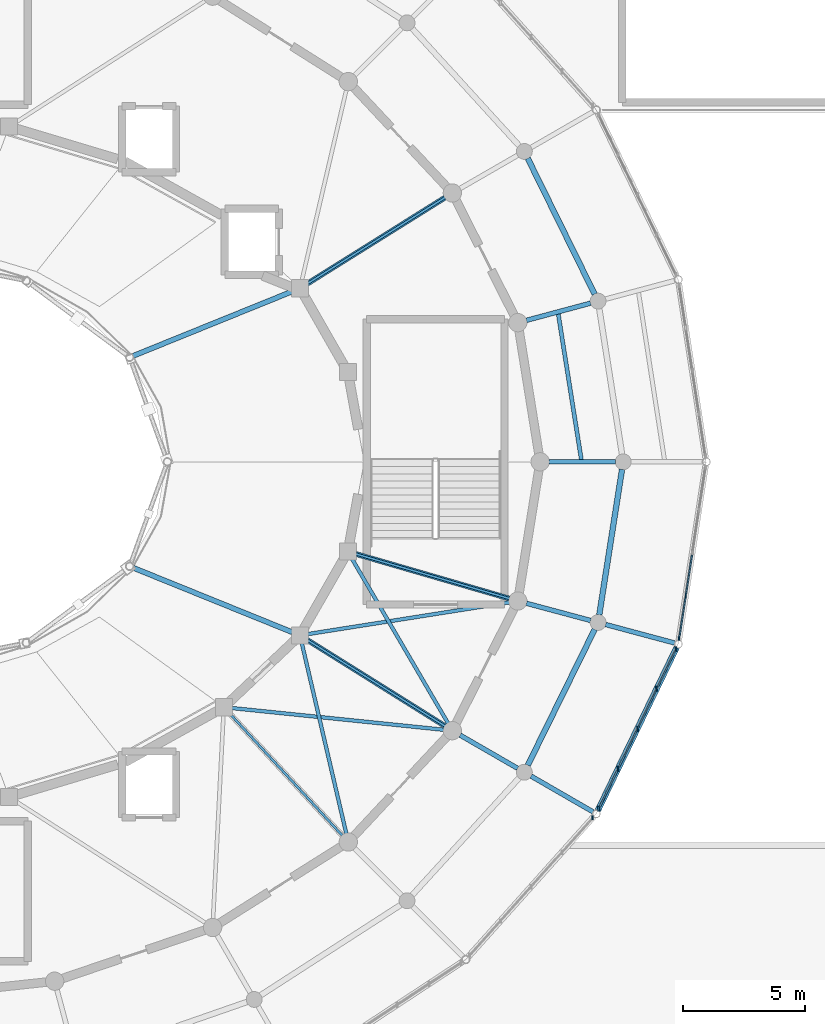
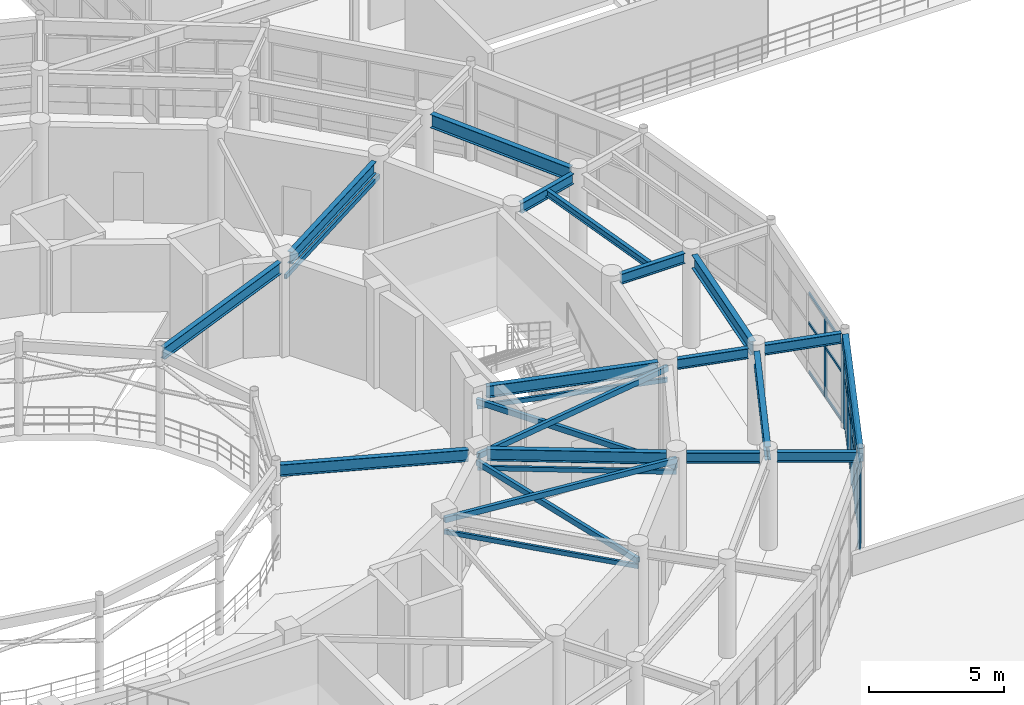
# One storey, part 60 of 112: 34 members, 16 beams, 3 elements without a shape of their own.
"""IFC4 building model written with IfcOpenShell, lengths in metres."""

from ifc_helpers import new_model, si_unit, direction, frame, origin, origin_2d, place, context, subcontext, project, spatial, rectangle, hollow_rectangle, i_section, extrude, material, material_profile, profile_set, type_object, element, aggregate, save


model = new_model("IFC4")

# Units and contexts
model_context = context("Model", 3, precision=1e-05, world=origin(), true_north=direction((0.0, 1.0)))
body_context = subcontext(model_context, "Body", "Model", "MODEL_VIEW")
ifc_project = project(units=[si_unit("LENGTHUNIT", "METRE"), si_unit("AREAUNIT", "SQUARE_METRE"), si_unit("VOLUMEUNIT", "CUBIC_METRE"), si_unit("PLANEANGLEUNIT", "RADIAN"), si_unit("MASSUNIT", "GRAM", prefix="KILO")], contexts=[model_context])

# Site, building, storey
site_placement = place(None, origin())
site = spatial("IfcSite", under=ifc_project, at=site_placement, CompositionType="ELEMENT")
building_placement = place(site_placement, origin())
building = spatial("IfcBuilding", under=site, at=building_placement, Name="Cinderbank Siding Concert Hall", CompositionType="ELEMENT")
storey_placement = place(building_placement, frame((0.0, 0.0, 10.199951171875)))
storey = spatial("IfcBuildingStorey", under=building, at=storey_placement, Name="L03", CompositionType="ELEMENT", Elevation=10.199951171875)

# Beams
ifc_material_1 = material(Name="Structural steel AS/NZS 3679.1 Grade 350 (340 MPa)", Category="steel")
ifc_material_profile_1 = material_profile(ifc_material_1, i_section(OverallWidth=0.19091796875, OverallDepth=0.46044921875, WebThickness=0.010009765625, FlangeThickness=0.01611328125, at=origin_2d()), Name="460UB82.1", Category="LoadBearing")
ifc_profile_set_1 = profile_set([ifc_material_profile_1], Name="Structural steel AS/NZS 3679.1 Grade 350 (340 MPa)")
beam_type_1 = type_object("IfcBeamType", Name="BM-UB460H 460UB82.1", PredefinedType="BEAM", material=ifc_profile_set_1)
for number, where, z_axis, x_axis, name in (
    (1, (149.1669921875, 44.0, 4.011962890625), (1.0, 0.0, 0.0), (0.0, 1.0, 0.0), "L03 Beam BM-UB460H #604"),
    (2, (148.2412109375, 49.7890625, 4.011962890625), (0.965934410535, 0.258787006135, 0.0), (-0.258787006135, 0.965934410535, 0.0), "L03 Beam BM-UB460H #605"),
):
    element("IfcBeam", number, at=place(storey_placement, frame(where, z_axis=z_axis, x_axis=x_axis)), inside=storey, type_object=beam_type_1, Name=name, PredefinedType="BEAM", context=body_context, shape_type="SweptSolid", body=[
        extrude(i_section(OverallWidth=0.19091796875, OverallDepth=0.46044921875, WebThickness=0.010009765625, FlangeThickness=0.01611328125, at=origin_2d()), origin(), (0.0, 0.0, 1.0), 2.716064453125),
    ])
beam_1_placement = place(storey_placement, frame((145.52734375, 32.81640625, 4.011962890625), z_axis=(0.866032896488, -0.499987022033, 0.0), x_axis=(0.499987022033, 0.866032896488, 0.0)))
element("IfcBeam", 3, at=beam_1_placement, inside=storey, type_object=beam_type_1, Name="L03 Beam BM-UB460H #625", PredefinedType="BEAM", context=body_context, shape_type="SweptSolid", body=[
    extrude(i_section(OverallWidth=0.19091796875, OverallDepth=0.46044921875, WebThickness=0.010009765625, FlangeThickness=0.01611328125, at=origin_2d()), origin(), (0.0, 0.0, 1.0), 2.7158203125),
])
beam_2_placement = place(storey_placement, frame((148.2412109375, 38.2109375, 4.011962890625), z_axis=(0.965934410535, -0.258787006135, 0.0), x_axis=(0.258787006135, 0.965934410535, 0.0)))
element("IfcBeam", 4, at=beam_2_placement, inside=storey, type_object=beam_type_1, Name="L03 Beam BM-UB460H #626", PredefinedType="BEAM", context=body_context, shape_type="SweptSolid", body=[
    extrude(i_section(OverallWidth=0.19091796875, OverallDepth=0.46044921875, WebThickness=0.010009765625, FlangeThickness=0.01611328125, at=origin_2d()), origin(), (0.0, 0.0, 1.0), 2.716064453125),
])
beam_3_placement = place(storey_placement, frame((148.428466796875, 31.1416015625, 4.0517578125), z_axis=(0.866013467834, -0.500020673103, 0.0), x_axis=(0.500020673103, 0.866013467834, 0.0)))
element("IfcBeam", 5, at=beam_3_placement, inside=storey, type_object=beam_type_1, Name="L03 Beam BM-UB460H #650", PredefinedType="BEAM", context=body_context, shape_type="SweptSolid", body=[
    extrude(i_section(OverallWidth=0.19091796875, OverallDepth=0.46044921875, WebThickness=0.010009765625, FlangeThickness=0.01611328125, at=origin_2d()), origin(), (0.0, 0.0, 1.0), 2.92919921875),
])
beam_4_placement = place(storey_placement, frame((151.477294921875, 37.343994140625, 4.0517578125), z_axis=(0.965904885504, -0.258897184534, 0.0), x_axis=(0.258897184534, 0.965904885504, 0.0)))
element("IfcBeam", 6, at=beam_4_placement, inside=storey, type_object=beam_type_1, Name="L03 Beam BM-UB460H #651", PredefinedType="BEAM", context=body_context, shape_type="SweptSolid", body=[
    extrude(i_section(OverallWidth=0.19091796875, OverallDepth=0.46044921875, WebThickness=0.010009765625, FlangeThickness=0.01611328125, at=origin_2d()), origin(), (0.0, 0.0, 1.0), 2.928955078125),
])
ifc_material_profile_2 = material_profile(ifc_material_1, i_section(OverallWidth=0.208984375, OverallDepth=0.5283203125, WebThickness=0.009521484375, FlangeThickness=0.01318359375, at=origin_2d()), Name="530UB82.0", Category="LoadBearing")
ifc_profile_set_2 = profile_set([ifc_material_profile_2], Name="Structural steel AS/NZS 3679.1 Grade 350 (340 MPa)")
beam_type_2 = type_object("IfcBeamType", Name="BM-UB530 530UB82.0", PredefinedType="BEAM", material=ifc_profile_set_2)
for number, where, z_axis, x_axis, name in (
    (7, (132.145263671875, 48.332763671875, 3.97802734375), (0.926787327391, 0.375586541008, 0.0), (-0.375586541008, 0.926787327391, 0.0), "L03 Beam BM-UB530 #178"),
    (8, (132.145263671875, 39.667236328125, 3.97802734375), (0.926787327391, -0.375586541008, 0.0), (0.375586541008, 0.926787327391, 0.0), "L03 Beam BM-UB530 #189"),
):
    element("IfcBeam", number, at=place(storey_placement, frame(where, z_axis=z_axis, x_axis=x_axis)), inside=storey, type_object=beam_type_2, Name=name, PredefinedType="BEAM", context=body_context, shape_type="SweptSolid", body=[
        extrude(i_section(OverallWidth=0.208984375, OverallDepth=0.5283203125, WebThickness=0.009521484375, FlangeThickness=0.01318359375, at=origin_2d()), origin(), (0.0, 0.0, 1.0), 7.026123046875),
    ])
ifc_material_profile_3 = material_profile(ifc_material_1, i_section(OverallWidth=0.208984375, OverallDepth=0.532958984375, WebThickness=0.01025390625, FlangeThickness=0.015625, at=origin_2d()), Name="530UB92.4", Category="LoadBearing")
ifc_profile_set_3 = profile_set([ifc_material_profile_3], Name="Structural steel AS/NZS 3679.1 Grade 350 (340 MPa)")
beam_type_3 = type_object("IfcBeamType", Name="BM-UB530H 530UB92.4", PredefinedType="BEAM", material=ifc_profile_set_3)
for number, where, z_axis, x_axis, name in (
    (9, (139.26416015625, 51.281494140625, 3.985595703125), (0.84781868984, 0.530286214376, 0.0), (-0.530286214376, 0.84781868984, 0.0), "L03 Beam BM-UB530H #593"),
    (10, (139.26416015625, 36.718505859375, 3.985595703125), (0.84781868984, -0.530286214376, 0.0), (0.530286214376, 0.84781868984, 0.0), "L03 Beam BM-UB530H #602"),
):
    element("IfcBeam", number, at=place(storey_placement, frame(where, z_axis=z_axis, x_axis=x_axis)), inside=storey, type_object=beam_type_3, Name=name, PredefinedType="BEAM", context=body_context, shape_type="SweptSolid", body=[
        extrude(i_section(OverallWidth=0.208984375, OverallDepth=0.532958984375, WebThickness=0.01025390625, FlangeThickness=0.015625, at=origin_2d()), origin(), (0.0, 0.0, 1.0), 6.645263671875),
    ])
beam_5_placement = place(storey_placement, frame((141.260498046875, 40.2294921875, 3.985595703125), z_axis=(0.960350422934, -0.278795740946, 0.0), x_axis=(0.278795740946, 0.960350422934, 0.0)))
element("IfcBeam", 11, at=beam_5_placement, inside=storey, type_object=beam_type_3, Name="L03 Beam BM-UB530H #603", PredefinedType="BEAM", context=body_context, shape_type="SweptSolid", body=[
    extrude(i_section(OverallWidth=0.208984375, OverallDepth=0.532958984375, WebThickness=0.01025390625, FlangeThickness=0.015625, at=origin_2d()), origin(), (0.0, 0.0, 1.0), 6.53271484375),
])
ifc_material_profile_4 = material_profile(ifc_material_1, i_section(OverallWidth=0.22802734375, OverallDepth=0.60693359375, WebThickness=0.01123046875, FlangeThickness=0.017333984375, at=origin_2d()), Name="610UB113", Category="LoadBearing")
ifc_profile_set_4 = profile_set([ifc_material_profile_4], Name="Structural steel AS/NZS 3679.1 Grade 350 (340 MPa)")
beam_type_4 = type_object("IfcBeamType", Name="BM-UB610M 610UB113", PredefinedType="BEAM", material=ifc_profile_set_4)
for number, where, z_axis, x_axis, name in (
    (12, (151.031005859375, 50.8583984375, 3.9384765625), (-0.441813843649, 0.897106753714, 0.0), (-0.897106753714, -0.441813843649, 0.0), "L03 Beam BM-UB610M #546"),
    (13, (148.294189453125, 31.58447265625, 3.9384765625), (0.441813843649, 0.897106753714, 0.0), (-0.897106753714, 0.441813843649, 0.0), "L03 Beam BM-UB610M #567"),
):
    element("IfcBeam", number, at=place(storey_placement, frame(where, z_axis=z_axis, x_axis=x_axis)), inside=storey, type_object=beam_type_4, Name=name, PredefinedType="BEAM", context=body_context, shape_type="SweptSolid", body=[
        extrude(i_section(OverallWidth=0.22802734375, OverallDepth=0.60693359375, WebThickness=0.01123046875, FlangeThickness=0.017333984375, at=origin_2d()), origin(), (0.0, 0.0, 1.0), 6.194580078125),
    ])
beam_6_placement = place(storey_placement, frame((151.219970703125, 37.7392578125, 3.9384765625), z_axis=(0.154637914322, 0.987971211855, 0.0), x_axis=(-0.987971211855, 0.154637914322, 0.0)))
element("IfcBeam", 14, at=beam_6_placement, inside=storey, type_object=beam_type_4, Name="L03 Beam BM-UB610M #568", PredefinedType="BEAM", context=body_context, shape_type="SweptSolid", body=[
    extrude(i_section(OverallWidth=0.22802734375, OverallDepth=0.60693359375, WebThickness=0.01123046875, FlangeThickness=0.017333984375, at=origin_2d()), origin(), (0.0, 0.0, 1.0), 6.02001953125),
])

# Curtain wall, member
ifc_material_2 = material(Name="Anodised aluminium alloy 6063-T6", Category="aluminium")
curtain_wall_type_1 = type_object("IfcCurtainWallType", Name="CW-10 Unitised Acoustic Curtain Wall 7200x3500", PredefinedType="NOTDEFINED", material=ifc_material_2)
curtain_wall_1_placement = place(storey_placement, origin())
curtain_wall_1 = element("IfcCurtainWall", 15, at=curtain_wall_1_placement, inside=storey, type_object=curtain_wall_type_1, Name="L03 Curtain Wall CW-10 #46", PredefinedType="NOTDEFINED")
ifc_material_profile_5 = material_profile(ifc_material_2, rectangle(XDim=0.06005859375, YDim=0.159912109375, at=origin_2d()), Name="ALU-MULL-60x160", Category="LoadBearing")
ifc_profile_set_5 = profile_set([ifc_material_profile_5], Name="Anodised aluminium alloy 6063-T6")
member_type_1 = type_object("IfcMemberType", Name="CW-ML1 Mullion 60x160", PredefinedType="MULLION", material=ifc_profile_set_5)
member_1_placement = place(storey_placement, frame((150.947021484375, 29.430908203125, 0.0), z_axis=(0.0, 0.0, 1.0), x_axis=(1.0, 0.0, 0.0)))
member_1 = element("IfcMember", 16, at=member_1_placement, type_object=member_type_1, Name="CW-L03-046 Mullion 4", PredefinedType="MULLION", context=body_context, shape_type="SweptSolid", body=[
    extrude(rectangle(XDim=0.06005859375, YDim=0.159912109375, at=origin_2d()), origin(), (0.0, 0.0, 1.0), 3.6669921875),
])
aggregate(curtain_wall_1, [member_1])

# Curtain wall, members
curtain_wall_type_2 = type_object("IfcCurtainWallType", Name="CW-12 Unitised Acoustic Curtain Wall 5800x3500", PredefinedType="NOTDEFINED", material=ifc_material_2)
curtain_wall_2_placement = place(storey_placement, origin())
curtain_wall_2 = element("IfcCurtainWall", 17, at=curtain_wall_2_placement, inside=storey, type_object=curtain_wall_type_2, Name="L03 Curtain Wall CW-12 #48", PredefinedType="NOTDEFINED")
member_2_placement = place(storey_placement, frame((154.489501953125, 36.770263671875, 0.0), z_axis=(0.0, 0.0, 1.0), x_axis=(1.0, 0.0, 0.0)))
member_2 = element("IfcMember", 18, at=member_2_placement, type_object=member_type_1, Name="CW-L03-048 Mullion 0", PredefinedType="MULLION", context=body_context, shape_type="SweptSolid", body=[
    extrude(rectangle(XDim=0.06005859375, YDim=0.159912109375, at=origin_2d()), origin(), (0.0, 0.0, 1.0), 3.6669921875),
])
member_3_placement = place(storey_placement, frame((154.758544921875, 38.521728515625, 0.0), z_axis=(0.0, 0.0, 1.0), x_axis=(1.0, 0.0, 0.0)))
member_3 = element("IfcMember", 19, at=member_3_placement, type_object=member_type_1, Name="CW-L03-048 Mullion 1", PredefinedType="MULLION", context=body_context, shape_type="SweptSolid", body=[
    extrude(rectangle(XDim=0.06005859375, YDim=0.159912109375, at=origin_2d()), origin(), (0.0, 0.0, 1.0), 3.6669921875),
])

curtain_wall_type_3 = type_object("IfcCurtainWallType", Name="CW-11 Unitised Acoustic Curtain Wall 6600x3500", PredefinedType="NOTDEFINED", material=ifc_material_2)
curtain_wall_3_placement = place(storey_placement, origin())
curtain_wall_3 = element("IfcCurtainWall", 20, at=curtain_wall_3_placement, inside=storey, type_object=curtain_wall_type_3, Name="L03 Curtain Wall CW-11 #47", PredefinedType="NOTDEFINED")
ifc_material_profile_6 = material_profile(ifc_material_2, rectangle(XDim=0.06494140625, YDim=0.199951171875, at=origin_2d()), Name="ALU-MULL-65x200", Category="LoadBearing")
ifc_profile_set_6 = profile_set([ifc_material_profile_6], Name="Anodised aluminium alloy 6063-T6")
member_type_2 = type_object("IfcMemberType", Name="CW-ML2 Mullion 65x200", PredefinedType="MULLION", material=ifc_profile_set_6)
member_4_placement = place(storey_placement, frame((151.197265625, 29.80419921875, 0.0), z_axis=(0.0, 0.0, 1.0), x_axis=(1.0, 0.0, 0.0)))
member_4 = element("IfcMember", 21, at=member_4_placement, type_object=member_type_2, Name="CW-L03-047 Mullion 0", PredefinedType="MULLION", context=body_context, shape_type="SweptSolid", body=[
    extrude(rectangle(XDim=0.06494140625, YDim=0.199951171875, at=origin_2d()), origin(), (0.0, 0.0, 1.0), 3.6669921875),
])
member_5_placement = place(storey_placement, frame((151.987060546875, 31.438720703125, 0.0), z_axis=(0.0, 0.0, 1.0), x_axis=(1.0, 0.0, 0.0)))
member_5 = element("IfcMember", 22, at=member_5_placement, type_object=member_type_2, Name="CW-L03-047 Mullion 1", PredefinedType="MULLION", context=body_context, shape_type="SweptSolid", body=[
    extrude(rectangle(XDim=0.06494140625, YDim=0.199951171875, at=origin_2d()), origin(), (0.0, 0.0, 1.0), 3.6669921875),
])
member_6_placement = place(storey_placement, frame((152.77685546875, 33.072998046875, 0.0), z_axis=(0.0, 0.0, 1.0), x_axis=(1.0, 0.0, 0.0)))
member_6 = element("IfcMember", 23, at=member_6_placement, type_object=member_type_2, Name="CW-L03-047 Mullion 2", PredefinedType="MULLION", context=body_context, shape_type="SweptSolid", body=[
    extrude(rectangle(XDim=0.06494140625, YDim=0.199951171875, at=origin_2d()), origin(), (0.0, 0.0, 1.0), 3.6669921875),
])
member_7_placement = place(storey_placement, frame((153.566650390625, 34.707275390625, 0.0), z_axis=(0.0, 0.0, 1.0), x_axis=(1.0, 0.0, 0.0)))
member_7 = element("IfcMember", 24, at=member_7_placement, type_object=member_type_2, Name="CW-L03-047 Mullion 3", PredefinedType="MULLION", context=body_context, shape_type="SweptSolid", body=[
    extrude(rectangle(XDim=0.06494140625, YDim=0.199951171875, at=origin_2d()), origin(), (0.0, 0.0, 1.0), 3.6669921875),
])
member_8_placement = place(storey_placement, frame((154.3564453125, 36.341796875, 0.0), z_axis=(0.0, 0.0, 1.0), x_axis=(1.0, 0.0, 0.0)))
member_8 = element("IfcMember", 25, at=member_8_placement, type_object=member_type_2, Name="CW-L03-047 Mullion 4", PredefinedType="MULLION", context=body_context, shape_type="SweptSolid", body=[
    extrude(rectangle(XDim=0.06494140625, YDim=0.199951171875, at=origin_2d()), origin(), (0.0, 0.0, 1.0), 3.6669921875),
])

# Member
ifc_material_profile_7 = material_profile(ifc_material_2, rectangle(XDim=0.06005859375, YDim=0.1201171875, at=origin_2d()), Name="ALU-TRAN-60x120", Category="LoadBearing")
ifc_profile_set_7 = profile_set([ifc_material_profile_7], Name="Anodised aluminium alloy 6063-T6")
member_type_3 = type_object("IfcMemberType", Name="CW-TR1 Transom 60x120", PredefinedType="USERDEFINED", material=ifc_profile_set_7)
member_9_placement = place(storey_placement, frame((154.5029296875, 36.85791015625, 0.06005859375), z_axis=(0.151873110161, 0.988399999196, 0.0), x_axis=(-0.988399999196, 0.151873110161, 0.0)))
member_9 = element("IfcMember", 26, at=member_9_placement, type_object=member_type_3, Name="CW-L03-048 Transom 0-0", ObjectType="TRANSOM", PredefinedType="USERDEFINED", context=body_context, shape_type="SweptSolid", body=[
    extrude(rectangle(XDim=0.06005859375, YDim=0.1201171875, at=origin_2d()), origin(), (0.0, 0.0, 1.0), 1.5947265625),
])

member_10_placement = place(storey_placement, frame((154.5029296875, 36.85791015625, 2.2734375), z_axis=(0.151873110161, 0.988399999196, 0.0), x_axis=(-0.988399999196, 0.151873110161, 0.0)))
member_10 = element("IfcMember", 27, at=member_10_placement, type_object=member_type_3, Name="CW-L03-048 Transom 0-1", ObjectType="TRANSOM", PredefinedType="USERDEFINED", context=body_context, shape_type="SweptSolid", body=[
    extrude(rectangle(XDim=0.06005859375, YDim=0.1201171875, at=origin_2d()), origin(), (0.0, 0.0, 1.0), 1.5947265625),
])

member_11_placement = place(storey_placement, frame((154.5029296875, 36.85791015625, 3.60693359375), z_axis=(0.151873110161, 0.988399999196, 0.0), x_axis=(-0.988399999196, 0.151873110161, 0.0)))
member_11 = element("IfcMember", 28, at=member_11_placement, type_object=member_type_3, Name="CW-L03-048 Transom 0-2", ObjectType="TRANSOM", PredefinedType="USERDEFINED", context=body_context, shape_type="SweptSolid", body=[
    extrude(rectangle(XDim=0.06005859375, YDim=0.1201171875, at=origin_2d()), origin(), (0.0, 0.0, 1.0), 1.5947265625),
])

member_12_placement = place(storey_placement, frame((154.77197265625, 38.609130859375, 0.06005859375), z_axis=(0.151873110161, 0.988399999196, 0.0), x_axis=(-0.988399999196, 0.151873110161, 0.0)))
member_12 = element("IfcMember", 29, at=member_12_placement, type_object=member_type_3, Name="CW-L03-048 Transom 1-0", ObjectType="TRANSOM", PredefinedType="USERDEFINED", context=body_context, shape_type="SweptSolid", body=[
    extrude(rectangle(XDim=0.06005859375, YDim=0.1201171875, at=origin_2d()), origin(), (0.0, 0.0, 1.0), 1.5947265625),
])

member_13_placement = place(storey_placement, frame((154.77197265625, 38.609130859375, 2.2734375), z_axis=(0.151873110161, 0.988399999196, 0.0), x_axis=(-0.988399999196, 0.151873110161, 0.0)))
member_13 = element("IfcMember", 30, at=member_13_placement, type_object=member_type_3, Name="CW-L03-048 Transom 1-1", ObjectType="TRANSOM", PredefinedType="USERDEFINED", context=body_context, shape_type="SweptSolid", body=[
    extrude(rectangle(XDim=0.06005859375, YDim=0.1201171875, at=origin_2d()), origin(), (0.0, 0.0, 1.0), 1.5947265625),
])

member_14_placement = place(storey_placement, frame((154.77197265625, 38.609130859375, 3.60693359375), z_axis=(0.151873110161, 0.988399999196, 0.0), x_axis=(-0.988399999196, 0.151873110161, 0.0)))
member_14 = element("IfcMember", 31, at=member_14_placement, type_object=member_type_3, Name="CW-L03-048 Transom 1-2", ObjectType="TRANSOM", PredefinedType="USERDEFINED", context=body_context, shape_type="SweptSolid", body=[
    extrude(rectangle(XDim=0.06005859375, YDim=0.1201171875, at=origin_2d()), origin(), (0.0, 0.0, 1.0), 1.5947265625),
])

aggregate(curtain_wall_2, [member_2, member_3, member_9, member_10, member_11, member_12, member_13, member_14])

ifc_material_profile_8 = material_profile(ifc_material_2, rectangle(XDim=0.06494140625, YDim=0.14990234375, at=origin_2d()), Name="ALU-TRAN-65x150", Category="LoadBearing")
ifc_profile_set_8 = profile_set([ifc_material_profile_8], Name="Anodised aluminium alloy 6063-T6")
member_type_4 = type_object("IfcMemberType", Name="CW-TR2 Transom 65x150", PredefinedType="USERDEFINED", material=ifc_profile_set_8)
member_15_placement = place(storey_placement, frame((151.23681640625, 29.885986328125, 0.06005859375), z_axis=(0.435037415308, 0.900412376238, 0.0), x_axis=(-0.900412376238, 0.435037415308, 0.0)))
member_15 = element("IfcMember", 32, at=member_15_placement, type_object=member_type_4, Name="CW-L03-047 Transom 0-0", ObjectType="TRANSOM", PredefinedType="USERDEFINED", context=body_context, shape_type="SweptSolid", body=[
    extrude(rectangle(XDim=0.06494140625, YDim=0.14990234375, at=origin_2d()), origin(), (0.0, 0.0, 1.0), 1.633544921875),
])

member_16_placement = place(storey_placement, frame((151.23681640625, 29.885986328125, 2.2734375), z_axis=(0.435037415308, 0.900412376238, 0.0), x_axis=(-0.900412376238, 0.435037415308, 0.0)))
member_16 = element("IfcMember", 33, at=member_16_placement, type_object=member_type_4, Name="CW-L03-047 Transom 0-1", ObjectType="TRANSOM", PredefinedType="USERDEFINED", context=body_context, shape_type="SweptSolid", body=[
    extrude(rectangle(XDim=0.06494140625, YDim=0.14990234375, at=origin_2d()), origin(), (0.0, 0.0, 1.0), 1.633544921875),
])

member_17_placement = place(storey_placement, frame((151.23681640625, 29.885986328125, 3.60693359375), z_axis=(0.435037415308, 0.900412376238, 0.0), x_axis=(-0.900412376238, 0.435037415308, 0.0)))
member_17 = element("IfcMember", 34, at=member_17_placement, type_object=member_type_4, Name="CW-L03-047 Transom 0-2", ObjectType="TRANSOM", PredefinedType="USERDEFINED", context=body_context, shape_type="SweptSolid", body=[
    extrude(rectangle(XDim=0.06494140625, YDim=0.14990234375, at=origin_2d()), origin(), (0.0, 0.0, 1.0), 1.633544921875),
])

member_18_placement = place(storey_placement, frame((152.026611328125, 31.5205078125, 0.06005859375), z_axis=(0.435095962233, 0.900384086737, 0.0), x_axis=(-0.900384086737, 0.435095962233, 0.0)))
member_18 = element("IfcMember", 35, at=member_18_placement, type_object=member_type_4, Name="CW-L03-047 Transom 1-0", ObjectType="TRANSOM", PredefinedType="USERDEFINED", context=body_context, shape_type="SweptSolid", body=[
    extrude(rectangle(XDim=0.06494140625, YDim=0.14990234375, at=origin_2d()), origin(), (0.0, 0.0, 1.0), 1.63330078125),
])

member_19_placement = place(storey_placement, frame((152.026611328125, 31.5205078125, 2.2734375), z_axis=(0.435095962233, 0.900384086737, 0.0), x_axis=(-0.900384086737, 0.435095962233, 0.0)))
member_19 = element("IfcMember", 36, at=member_19_placement, type_object=member_type_4, Name="CW-L03-047 Transom 1-1", ObjectType="TRANSOM", PredefinedType="USERDEFINED", context=body_context, shape_type="SweptSolid", body=[
    extrude(rectangle(XDim=0.06494140625, YDim=0.14990234375, at=origin_2d()), origin(), (0.0, 0.0, 1.0), 1.63330078125),
])

member_20_placement = place(storey_placement, frame((152.026611328125, 31.5205078125, 3.60693359375), z_axis=(0.435095962233, 0.900384086737, 0.0), x_axis=(-0.900384086737, 0.435095962233, 0.0)))
member_20 = element("IfcMember", 37, at=member_20_placement, type_object=member_type_4, Name="CW-L03-047 Transom 1-2", ObjectType="TRANSOM", PredefinedType="USERDEFINED", context=body_context, shape_type="SweptSolid", body=[
    extrude(rectangle(XDim=0.06494140625, YDim=0.14990234375, at=origin_2d()), origin(), (0.0, 0.0, 1.0), 1.63330078125),
])

member_21_placement = place(storey_placement, frame((152.81640625, 33.15478515625, 0.06005859375), z_axis=(0.435095962233, 0.900384086737, 0.0), x_axis=(-0.900384086737, 0.435095962233, 0.0)))
member_21 = element("IfcMember", 38, at=member_21_placement, type_object=member_type_4, Name="CW-L03-047 Transom 2-0", ObjectType="TRANSOM", PredefinedType="USERDEFINED", context=body_context, shape_type="SweptSolid", body=[
    extrude(rectangle(XDim=0.06494140625, YDim=0.14990234375, at=origin_2d()), origin(), (0.0, 0.0, 1.0), 1.63330078125),
])

member_22_placement = place(storey_placement, frame((152.81640625, 33.15478515625, 2.2734375), z_axis=(0.435095962233, 0.900384086737, 0.0), x_axis=(-0.900384086737, 0.435095962233, 0.0)))
member_22 = element("IfcMember", 39, at=member_22_placement, type_object=member_type_4, Name="CW-L03-047 Transom 2-1", ObjectType="TRANSOM", PredefinedType="USERDEFINED", context=body_context, shape_type="SweptSolid", body=[
    extrude(rectangle(XDim=0.06494140625, YDim=0.14990234375, at=origin_2d()), origin(), (0.0, 0.0, 1.0), 1.63330078125),
])

member_23_placement = place(storey_placement, frame((152.81640625, 33.15478515625, 3.60693359375), z_axis=(0.435095962233, 0.900384086737, 0.0), x_axis=(-0.900384086737, 0.435095962233, 0.0)))
member_23 = element("IfcMember", 40, at=member_23_placement, type_object=member_type_4, Name="CW-L03-047 Transom 2-2", ObjectType="TRANSOM", PredefinedType="USERDEFINED", context=body_context, shape_type="SweptSolid", body=[
    extrude(rectangle(XDim=0.06494140625, YDim=0.14990234375, at=origin_2d()), origin(), (0.0, 0.0, 1.0), 1.63330078125),
])

member_24_placement = place(storey_placement, frame((153.606201171875, 34.7890625, 0.06005859375), z_axis=(0.435037415308, 0.900412376238, 0.0), x_axis=(-0.900412376238, 0.435037415308, 0.0)))
member_24 = element("IfcMember", 41, at=member_24_placement, type_object=member_type_4, Name="CW-L03-047 Transom 3-0", ObjectType="TRANSOM", PredefinedType="USERDEFINED", context=body_context, shape_type="SweptSolid", body=[
    extrude(rectangle(XDim=0.06494140625, YDim=0.14990234375, at=origin_2d()), origin(), (0.0, 0.0, 1.0), 1.633544921875),
])

member_25_placement = place(storey_placement, frame((153.606201171875, 34.7890625, 2.2734375), z_axis=(0.435037415308, 0.900412376238, 0.0), x_axis=(-0.900412376238, 0.435037415308, 0.0)))
member_25 = element("IfcMember", 42, at=member_25_placement, type_object=member_type_4, Name="CW-L03-047 Transom 3-1", ObjectType="TRANSOM", PredefinedType="USERDEFINED", context=body_context, shape_type="SweptSolid", body=[
    extrude(rectangle(XDim=0.06494140625, YDim=0.14990234375, at=origin_2d()), origin(), (0.0, 0.0, 1.0), 1.633544921875),
])

member_26_placement = place(storey_placement, frame((153.606201171875, 34.7890625, 3.60693359375), z_axis=(0.435037415308, 0.900412376238, 0.0), x_axis=(-0.900412376238, 0.435037415308, 0.0)))
member_26 = element("IfcMember", 43, at=member_26_placement, type_object=member_type_4, Name="CW-L03-047 Transom 3-2", ObjectType="TRANSOM", PredefinedType="USERDEFINED", context=body_context, shape_type="SweptSolid", body=[
    extrude(rectangle(XDim=0.06494140625, YDim=0.14990234375, at=origin_2d()), origin(), (0.0, 0.0, 1.0), 1.633544921875),
])

aggregate(curtain_wall_3, [member_4, member_5, member_6, member_7, member_8, member_15, member_16, member_17, member_18, member_19, member_20, member_21, member_22, member_23, member_24, member_25, member_26])

# Beam
ifc_material_profile_9 = material_profile(ifc_material_1, i_section(OverallWidth=0.1650390625, OverallDepth=0.303955078125, WebThickness=0.006103515625, FlangeThickness=0.01025390625, at=origin_2d()), Name="310UB40.4", Category="LoadBearing")
ifc_profile_set_9 = profile_set([ifc_material_profile_9], Name="Structural steel AS/NZS 3679.1 Grade 350 (340 MPa)")
beam_type_5 = type_object("IfcBeamType", Name="JS-UB310 310UB40.4", PredefinedType="JOIST", material=ifc_profile_set_9)
beam_7_placement = place(storey_placement, frame((150.486083984375, 44.08837890625, 4.090087890625), z_axis=(-0.156365807053, 0.987699212506, 0.0), x_axis=(-0.987699212506, -0.156365807053, 0.0)))
element("IfcBeam", 44, at=beam_7_placement, inside=storey, type_object=beam_type_5, Name="L03 Beam JS-UB310 #606", PredefinedType="JOIST", context=body_context, shape_type="SweptSolid", body=[
    extrude(i_section(OverallWidth=0.1650390625, OverallDepth=0.303955078125, WebThickness=0.006103515625, FlangeThickness=0.01025390625, at=origin_2d()), origin(), (0.0, 0.0, 1.0), 6.031494140625),
])

# Members
ifc_material_3 = material(Name="Structural steel hollow section AS/NZS 1163 Grade C350L0 (350 MPa)", Category="steel")
ifc_material_profile_10 = material_profile(ifc_material_3, hollow_rectangle(XDim=0.10009765625, YDim=0.199951171875, WallThickness=0.008056640625, at=origin_2d()), Name="200x100x8.0RHS", Category="LoadBearing")
ifc_profile_set_10 = profile_set([ifc_material_profile_10], Name="Structural steel hollow section AS/NZS 1163 Grade C350L0 (350 MPa)")
member_type_5 = type_object("IfcMemberType", Name="PR-RHS200 200x100x8.0RHS Roof Truss", PredefinedType="PURLIN", material=ifc_profile_set_10)
member_27_placement = place(storey_placement, frame((138.97412109375, 51.10009765625, 3.340087890625), z_axis=(0.847826684568, 0.530273432235, 0.0), x_axis=(-0.530273432235, 0.847826684568, 0.0)))
element("IfcMember", 45, at=member_27_placement, inside=storey, type_object=member_type_5, Name="L03 Roof Truss Member PR-RHS200 #2241", PredefinedType="PURLIN", context=body_context, shape_type="SweptSolid", body=[
    extrude(hollow_rectangle(XDim=0.10009765625, YDim=0.199951171875, WallThickness=0.008056640625, at=origin_2d()), origin(), (0.0, 0.0, 1.0), 7.3544921875),
])
member_28_placement = place(storey_placement, frame((135.859375, 33.958984375, 3.340087890625), z_axis=(0.678276049894, -0.734807185689, 0.0), x_axis=(0.734807185689, 0.678276049894, 0.0)))
element("IfcMember", 46, at=member_28_placement, inside=storey, type_object=member_type_5, Name="L03 Roof Truss Member PR-RHS200 #2265", PredefinedType="PURLIN", context=body_context, shape_type="SweptSolid", body=[
    extrude(hollow_rectangle(XDim=0.10009765625, YDim=0.199951171875, WallThickness=0.008056640625, at=origin_2d()), origin(), (0.0, 0.0, 1.0), 7.505859375),
])
member_29_placement = place(storey_placement, frame((138.97412109375, 36.89990234375, 3.340087890625), z_axis=(0.847826684568, -0.530273432235, 0.0), x_axis=(0.530273432235, 0.847826684568, 0.0)))
element("IfcMember", 47, at=member_29_placement, inside=storey, type_object=member_type_5, Name="L03 Roof Truss Member PR-RHS200 #2268", PredefinedType="PURLIN", context=body_context, shape_type="SweptSolid", body=[
    extrude(hollow_rectangle(XDim=0.10009765625, YDim=0.199951171875, WallThickness=0.008056640625, at=origin_2d()), origin(), (0.0, 0.0, 1.0), 7.3544921875),
])
member_30_placement = place(storey_placement, frame((140.93212890625, 40.32470703125, 3.340087890625), z_axis=(0.960356417746, -0.278775090161, 0.0), x_axis=(0.278775090161, 0.960356417746, 0.0)))
element("IfcMember", 48, at=member_30_placement, inside=storey, type_object=member_type_5, Name="L03 Roof Truss Member PR-RHS200 #2269", PredefinedType="PURLIN", context=body_context, shape_type="SweptSolid", body=[
    extrude(hollow_rectangle(XDim=0.10009765625, YDim=0.199951171875, WallThickness=0.008056640625, at=origin_2d()), origin(), (0.0, 0.0, 1.0), 7.24169921875),
])

# Beam
ifc_material_4 = material(Name="Spotted gum glulam timber GL18 (42 MPa)", Category="wood")
ifc_material_profile_11 = material_profile(ifc_material_4, rectangle(XDim=0.239990234375, YDim=0.60009765625, at=origin_2d()), Name="GL18-240x600", Category="LoadBearing")
ifc_profile_set_11 = profile_set([ifc_material_profile_11], Name="Spotted gum glulam timber GL18 (42 MPa)")
beam_type_6 = type_object("IfcBeamType", Name="SP-GL600 GL18-240x600", PredefinedType="SPANDREL", material=ifc_profile_set_11)
beam_8_placement = place(storey_placement, frame((151.16552734375, 29.738525390625, 3.98193359375), z_axis=(0.435095625105, 0.900384249648, 0.0), x_axis=(-0.900384249648, 0.435095625105, 0.0)))
element("IfcBeam", 49, at=beam_8_placement, inside=storey, type_object=beam_type_6, Name="L03 Beam SP-GL600 #591", PredefinedType="SPANDREL", context=body_context, shape_type="SweptSolid", body=[
    extrude(rectangle(XDim=0.239990234375, YDim=0.60009765625, at=origin_2d()), origin(), (0.0, 0.0, 1.0), 7.40673828125),
])

# Members
ifc_material_profile_12 = material_profile(ifc_material_3, hollow_rectangle(XDim=0.14990234375, YDim=0.25, WallThickness=0.009033203125, at=origin_2d()), Name="250x150x9.0RHS", Category="LoadBearing")
ifc_profile_set_12 = profile_set([ifc_material_profile_12], Name="Structural steel hollow section AS/NZS 1163 Grade C350L0 (350 MPa)")
member_type_6 = type_object("IfcMemberType", Name="TR-RHS250 250x150x9.0RHS Roof Truss", PredefinedType="RAFTER", material=ifc_profile_set_12)
member_31_placement = place(storey_placement, frame((135.859375, 33.958984375, 3.880126953125), z_axis=(0.994781438611, -0.102028865499, 0.0), x_axis=(0.102028865499, 0.994781438611, 0.0)))
element("IfcMember", 50, at=member_31_placement, inside=storey, type_object=member_type_6, Name="L03 Roof Truss Member TR-RHS250 #2263", PredefinedType="RAFTER", context=body_context, shape_type="SweptSolid", body=[
    extrude(hollow_rectangle(XDim=0.14990234375, YDim=0.25, WallThickness=0.009033203125, at=origin_2d()), origin(), (0.0, 0.0, 1.0), 9.399169921875),
])
member_32_placement = place(storey_placement, frame((138.97412109375, 36.89990234375, 3.60009765625), z_axis=(0.227577092084, -0.973760066525, 0.0), x_axis=(0.973760066525, 0.227577092084, 0.0)))
element("IfcMember", 51, at=member_32_placement, inside=storey, type_object=member_type_6, Name="L03 Roof Truss Member TR-RHS250 #2264", PredefinedType="RAFTER", context=body_context, shape_type="SweptSolid", body=[
    extrude(hollow_rectangle(XDim=0.14990234375, YDim=0.25, WallThickness=0.009033203125, at=origin_2d()), origin(), (0.0, 0.0, 1.0), 8.68408203125),
])
member_33_placement = place(storey_placement, frame((138.97412109375, 36.89990234375, 3.880126953125), z_axis=(0.987784236991, 0.155827793262, 0.0), x_axis=(-0.155827793262, 0.987784236991, 0.0)))
element("IfcMember", 52, at=member_33_placement, inside=storey, type_object=member_type_6, Name="L03 Roof Truss Member TR-RHS250 #2266", PredefinedType="RAFTER", context=body_context, shape_type="SweptSolid", body=[
    extrude(hollow_rectangle(XDim=0.14990234375, YDim=0.25, WallThickness=0.009033203125, at=origin_2d()), origin(), (0.0, 0.0, 1.0), 9.022705078125),
])
member_34_placement = place(storey_placement, frame((140.93212890625, 40.32470703125, 3.60009765625), z_axis=(0.50427542144, -0.863542876372, 0.0), x_axis=(0.863542876372, 0.50427542144, 0.0)))
element("IfcMember", 53, at=member_34_placement, inside=storey, type_object=member_type_6, Name="L03 Roof Truss Member TR-RHS250 #2267", PredefinedType="RAFTER", context=body_context, shape_type="SweptSolid", body=[
    extrude(hollow_rectangle(XDim=0.14990234375, YDim=0.25, WallThickness=0.009033203125, at=origin_2d()), origin(), (0.0, 0.0, 1.0), 8.482177734375),
])

save(model, "model.ifc")
